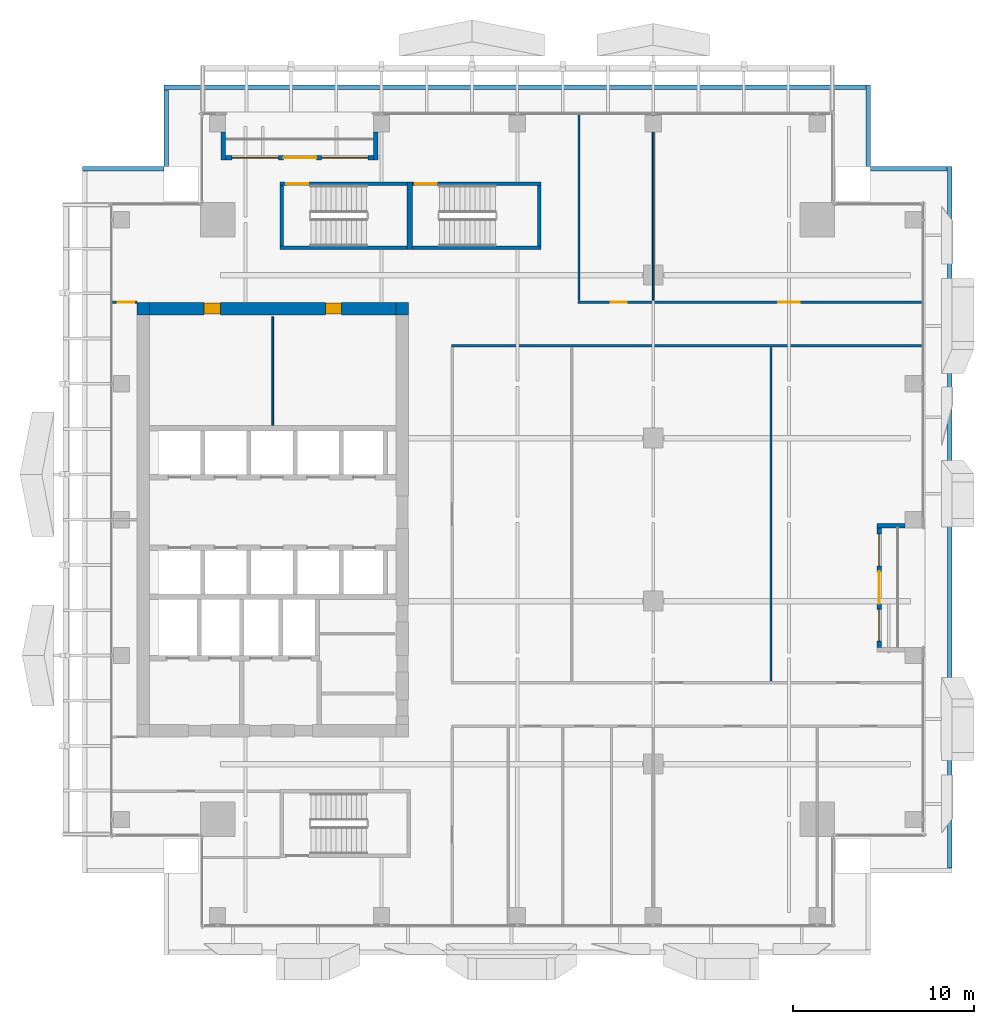
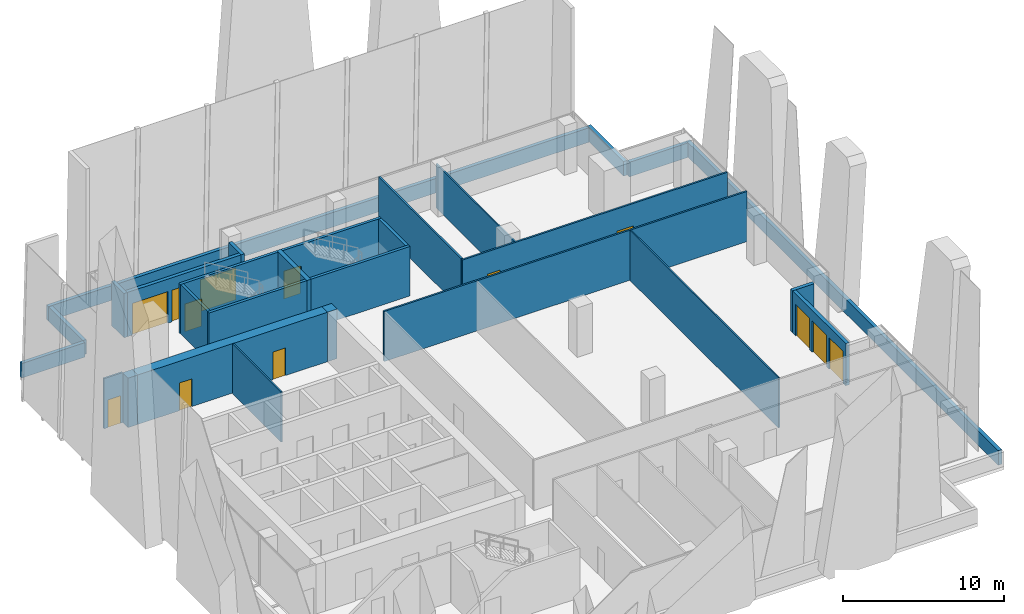
# One storey, part 28 of 33: 28 walls, 9 doors, 4 windows, 13 openings.
"""IFC4 building model written with IfcOpenShell, lengths in metres."""

from ifc_helpers import new_model, si_unit, direction, frame, frame_2d, origin, place, context, subcontext, project, spatial, rectangle, extrude, source, transform, mapped, material, layer, layer_set, type_object, element, fill, save


model = new_model("IFC4")

# Units and contexts
model_context = context("Model", 3, precision=1e-05, world=origin(), true_north=direction((0.0, 1.0)))
body_context = subcontext(model_context, "Body", "Model", "MODEL_VIEW")
ifc_project = project(units=[si_unit("LENGTHUNIT", "METRE"), si_unit("AREAUNIT", "SQUARE_METRE"), si_unit("VOLUMEUNIT", "CUBIC_METRE"), si_unit("PLANEANGLEUNIT", "RADIAN"), si_unit("MASSUNIT", "GRAM", prefix="KILO")], contexts=[model_context])

# Site, building, storey
site_placement = place(None, origin())
site = spatial("IfcSite", under=ifc_project, at=site_placement, CompositionType="ELEMENT")
building_placement = place(site_placement, origin())
building = spatial("IfcBuilding", under=site, at=building_placement, Name="Khomas Fold Tower", CompositionType="ELEMENT")
storey_placement = place(building_placement, frame((0.0, 0.0, 222.199951171875)))
storey = spatial("IfcBuildingStorey", under=building, at=storey_placement, Name="L49", CompositionType="ELEMENT", Elevation=222.199951171875)

# Wall, opening, door
ifc_material_1 = material(Name="Concrete C50/60", Category="concrete")
ifc_layer_1 = layer(ifc_material_1, 0.199951171875)
ifc_layer_set_1 = layer_set([ifc_layer_1], Name="Concrete C50/60")
wall_type_1 = type_object("IfcWallType", Name="Stair wall 200", PredefinedType="SHEAR", material=ifc_layer_set_1)
shared_shape_1 = source(origin(), body_context, "Body", "SweptSolid", [
    extrude(rectangle(XDim=7.0, YDim=0.199951171875, at=frame_2d((3.5, 0.0))), origin(), (0.0, 0.0, 1.0), 3.75),
])
wall_1_placement = place(storey_placement, frame((13.89990234375, 45.550048828125, 0.0), z_axis=(0.0, 0.0, 1.0), x_axis=(1.0, 0.0, 0.0)))
wall_1 = element("IfcWall", 1, at=wall_1_placement, inside=storey, type_object=wall_type_1, Name="Stair wall SW-ST1-N", PredefinedType="SHEAR", context=body_context, shape_type="MappedRepresentation", body=[
    mapped(shared_shape_1, transform((0.0, 0.0, 0.0))),
])
shared_shape_2 = source(origin(), body_context, "Body", "SweptSolid", [
    extrude(rectangle(XDim=1.199951171875, YDim=2.10009765625, at=frame_2d((0.60009765625, 1.050048828125))), frame((0.0, 0.10986328125, 0.0), z_axis=(0.0, -1.0, 0.0), x_axis=(1.0, 0.0, 0.0)), (0.0, 0.0, 1.0), 0.219970703125),
])
opening_1_placement = place(wall_1_placement, frame((0.35009765625, 0.0, 0.0)))
opening_1 = element("IfcOpeningElement", 2, at=opening_1_placement, cuts=wall_1, Name="Opening SD-ST1", PredefinedType="OPENING", context=body_context, shape_type="MappedRepresentation", body=[
    mapped(shared_shape_2, transform((0.0, 0.0, 0.0))),
])
ifc_material_2 = material(Name="Steel door leaf", Category="steel")
door_type_1 = type_object("IfcDoorType", Name="Stair door 1200x2100 left-hand", OperationType="SINGLE_SWING_LEFT", PredefinedType="DOOR", material=ifc_material_2)
shared_shape_3 = source(origin(), body_context, "Body", "SweptSolid", [
    extrude(rectangle(XDim=1.199951171875, YDim=2.10009765625, at=frame_2d((0.60009765625, 1.050048828125))), frame((0.0, 0.02490234375, 0.0), z_axis=(0.0, -1.0, 0.0), x_axis=(1.0, 0.0, 0.0)), (0.0, 0.0, 1.0), 0.050048828125),
])
door_1_placement = place(opening_1_placement, origin())
door_1 = element("IfcDoor", 3, at=door_1_placement, inside=storey, type_object=door_type_1, Name="Stair door", OperationType="SINGLE_SWING_LEFT", OverallHeight=2.10009765625, OverallWidth=1.199951171875, PredefinedType="DOOR", context=body_context, shape_type="MappedRepresentation", body=[
    mapped(shared_shape_3, transform((0.0, 0.0, 0.0))),
])
fill(opening_1, door_1)

# Wall
wall_2_placement = place(storey_placement, frame((13.89990234375, 42.0, 0.0), z_axis=(0.0, 0.0, 1.0), x_axis=(1.0, 0.0, 0.0)))
element("IfcWall", 4, at=wall_2_placement, inside=storey, type_object=wall_type_1, Name="Stair wall SW-ST1-S", PredefinedType="SHEAR", context=body_context, shape_type="MappedRepresentation", body=[
    mapped(shared_shape_1, transform((0.0, 0.0, 0.0))),
])

# Wall, opening, door
shared_shape_4 = source(origin(), body_context, "Body", "SweptSolid", [
    extrude(rectangle(XDim=7.10009765625, YDim=0.199951171875, at=frame_2d((3.550048828125, 0.0))), origin(), (0.0, 0.0, 1.0), 3.75),
])
wall_3_placement = place(storey_placement, frame((21.199951171875, 45.550048828125, 0.0), z_axis=(0.0, 0.0, 1.0), x_axis=(1.0, 0.0, 0.0)))
wall_3 = element("IfcWall", 5, at=wall_3_placement, inside=storey, type_object=wall_type_1, Name="Stair wall SW-ST3-N", PredefinedType="SHEAR", context=body_context, shape_type="MappedRepresentation", body=[
    mapped(shared_shape_4, transform((0.0, 0.0, 0.0))),
])
opening_2_placement = place(wall_3_placement, frame((0.14990234375, 0.0, 0.0)))
opening_2 = element("IfcOpeningElement", 6, at=opening_2_placement, cuts=wall_3, Name="Opening SD-ST3", PredefinedType="OPENING", context=body_context, shape_type="MappedRepresentation", body=[
    mapped(shared_shape_2, transform((0.0, 0.0, 0.0))),
])
door_2_placement = place(opening_2_placement, origin())
door_2 = element("IfcDoor", 7, at=door_2_placement, inside=storey, type_object=door_type_1, Name="Stair door", OperationType="SINGLE_SWING_LEFT", OverallHeight=2.10009765625, OverallWidth=1.199951171875, PredefinedType="DOOR", context=body_context, shape_type="MappedRepresentation", body=[
    mapped(shared_shape_3, transform((0.0, 0.0, 0.0))),
])
fill(opening_2, door_2)

# Walls
wall_4_placement = place(storey_placement, frame((21.199951171875, 42.0, 0.0), z_axis=(0.0, 0.0, 1.0), x_axis=(1.0, 0.0, 0.0)))
element("IfcWall", 8, at=wall_4_placement, inside=storey, type_object=wall_type_1, Name="Stair wall SW-ST3-S", PredefinedType="SHEAR", context=body_context, shape_type="MappedRepresentation", body=[
    mapped(shared_shape_4, transform((0.0, 0.0, 0.0))),
])
ifc_material_3 = material(Name="Concrete C50/60", Category="concrete")
ifc_layer_2 = layer(ifc_material_3, 0.300048828125)
ifc_layer_set_2 = layer_set([ifc_layer_2], Name="Concrete C50/60")
wall_type_2 = type_object("IfcWallType", Name="Stair wall 300", PredefinedType="SHEAR", material=ifc_layer_set_2)
shared_shape_5 = source(origin(), body_context, "Body", "SweptSolid", [
    extrude(rectangle(XDim=3.75, YDim=0.300048828125, at=frame_2d((1.875, 0.0))), origin(), (0.0, 0.0, 1.0), 3.75),
])
wall_5_placement = place(storey_placement, frame((21.050048828125, 41.89990234375, 0.0), z_axis=(0.0, 0.0, 1.0), x_axis=(0.0, 1.0, 0.0)))
element("IfcWall", 9, at=wall_5_placement, inside=storey, type_object=wall_type_2, Name="Stair wall SW-ST1-E", PredefinedType="SHEAR", context=body_context, shape_type="MappedRepresentation", body=[
    mapped(shared_shape_5, transform((0.0, 0.0, 0.0))),
])
shared_shape_6 = source(origin(), body_context, "Body", "SweptSolid", [
    extrude(rectangle(XDim=3.349853515625, YDim=0.199951171875, at=frame_2d((1.6748046875, 0.0))), origin(), (0.0, 0.0, 1.0), 3.75),
])
for number, where, z_axis, x_axis, name in (
    (10, (14.0, 42.10009765625, 0.0), (0.0, 0.0, 1.0), (0.0, 1.0, 0.0), "Stair wall SW-ST1-W"),
    (11, (28.199951171875, 42.10009765625, 0.0), (0.0, 0.0, 1.0), (0.0, 1.0, 0.0), "Stair wall SW-ST3-E"),
):
    element("IfcWall", number, at=place(storey_placement, frame(where, z_axis=z_axis, x_axis=x_axis)), inside=storey, type_object=wall_type_1, Name=name, PredefinedType="SHEAR", context=body_context, shape_type="MappedRepresentation", body=[
        mapped(shared_shape_6, transform((0.0, 0.0, 0.0))),
    ])

# Wall, openings, doors
ifc_material_4 = material(Name="Concrete C60/75", Category="concrete")
ifc_layer_3 = layer(ifc_material_4, 0.699951171875)
ifc_layer_set_3 = layer_set([ifc_layer_3], Name="Concrete C60/75")
wall_type_3 = type_object("IfcWallType", Name="Core wall 700", PredefinedType="SHEAR", material=ifc_layer_set_3)
shared_shape_7 = source(origin(), body_context, "Body", "SweptSolid", [
    extrude(rectangle(XDim=13.60009765625, YDim=0.699951171875, at=frame_2d((6.800048828125, 0.0))), origin(), (0.0, 0.0, 1.0), 3.75),
])
wall_6_placement = place(storey_placement, frame((6.699951171875, 38.64990234375, 0.0), z_axis=(0.0, 0.0, 1.0), x_axis=(1.0, 0.0, 0.0)))
wall_6 = element("IfcWall", 12, at=wall_6_placement, inside=storey, type_object=wall_type_3, Name="Core wall CW-U-N-L49", PredefinedType="SHEAR", context=body_context, shape_type="MappedRepresentation", body=[
    mapped(shared_shape_7, transform((0.0, 0.0, 0.0))),
])
shared_shape_8 = source(origin(), body_context, "Body", "SweptSolid", [
    extrude(rectangle(XDim=0.89990234375, YDim=2.10009765625, at=frame_2d((0.449951171875, 1.050048828125))), frame((0.0, 0.35986328125, 0.0), z_axis=(0.0, -1.0, 0.0), x_axis=(1.0, 0.0, 0.0)), (0.0, 0.0, 1.0), 0.719970703125),
])
opening_3_placement = place(wall_6_placement, frame((3.0, 0.0, 0.0)))
opening_3 = element("IfcOpeningElement", 13, at=opening_3_placement, cuts=wall_6, Name="Opening 0008", PredefinedType="OPENING", context=body_context, shape_type="MappedRepresentation", body=[
    mapped(shared_shape_8, transform((0.0, 0.0, 0.0))),
])
opening_4_placement = place(wall_6_placement, frame((9.699951171875, 0.0, 0.0)))
opening_4 = element("IfcOpeningElement", 14, at=opening_4_placement, cuts=wall_6, Name="Opening 0008", PredefinedType="OPENING", context=body_context, shape_type="MappedRepresentation", body=[
    mapped(shared_shape_8, transform((0.0, 0.0, 0.0))),
])
ifc_material_5 = material(Name="Timber door leaf", Category="wood")
door_type_2 = type_object("IfcDoorType", Name="Door 900x2100 right-hand", OperationType="SINGLE_SWING_RIGHT", PredefinedType="DOOR", material=ifc_material_5)
shared_shape_9 = source(origin(), body_context, "Body", "SweptSolid", [
    extrude(rectangle(XDim=0.89990234375, YDim=2.10009765625, at=frame_2d((0.449951171875, 1.050048828125))), frame((0.0, 0.2998046875, 0.0), z_axis=(0.0, -1.0, 0.0), x_axis=(1.0, 0.0, 0.0)), (0.0, 0.0, 1.0), 0.599853515625),
])
door_3_placement = place(opening_3_placement, origin())
door_3 = element("IfcDoor", 15, at=door_3_placement, inside=storey, type_object=door_type_2, Name="Door", OperationType="SINGLE_SWING_RIGHT", OverallHeight=2.10009765625, OverallWidth=0.89990234375, PredefinedType="DOOR", context=body_context, shape_type="MappedRepresentation", body=[
    mapped(shared_shape_9, transform((0.0, 0.0, 0.0))),
])
fill(opening_3, door_3)
door_4_placement = place(opening_4_placement, origin())
door_4 = element("IfcDoor", 16, at=door_4_placement, inside=storey, type_object=door_type_2, Name="Door", OperationType="SINGLE_SWING_RIGHT", OverallHeight=2.10009765625, OverallWidth=0.89990234375, PredefinedType="DOOR", context=body_context, shape_type="MappedRepresentation", body=[
    mapped(shared_shape_9, transform((0.0, 0.0, 0.0))),
])
fill(opening_4, door_4)

# Walls
ifc_material_6 = material(Name="Concrete C60/75", Category="concrete")
ifc_layer_4 = layer(ifc_material_6, 0.699951171875)
ifc_layer_set_4 = layer_set([ifc_layer_4], Name="Concrete C60/75")
wall_type_4 = type_object("IfcWallType", Name="Core corner wall 700", PredefinedType="SHEAR", material=ifc_layer_set_4)
shared_shape_10 = source(origin(), body_context, "Body", "SweptSolid", [
    extrude(rectangle(XDim=0.699951171875, YDim=0.699951171875, at=frame_2d((0.35009765625, 0.0))), origin(), (0.0, 0.0, 1.0), 3.75),
])
for number, where, z_axis, x_axis, name in (
    (17, (20.300048828125, 38.64990234375, 0.0), (0.0, 0.0, 1.0), (1.0, 0.0, 0.0), "Core wall CW-U-NE-L49"),
    (18, (6.0, 38.64990234375, 0.0), (0.0, 0.0, 1.0), (1.0, 0.0, 0.0), "Core wall CW-U-NW-L49"),
):
    element("IfcWall", number, at=place(storey_placement, frame(where, z_axis=z_axis, x_axis=x_axis)), inside=storey, type_object=wall_type_4, Name=name, PredefinedType="SHEAR", context=body_context, shape_type="MappedRepresentation", body=[
        mapped(shared_shape_10, transform((0.0, 0.0, 0.0))),
    ])

# Wall, openings, door, windows
ifc_material_7 = material(Name="Natural stone", Category="masonry")
ifc_layer_5 = layer(ifc_material_7, 0.0400390625)
ifc_material_8 = material(Name="Mineral wool insulation", Category="insulation")
ifc_layer_6 = layer(ifc_material_8, 0.10009765625)
ifc_material_9 = material(Name="Masonry", Category="masonry")
ifc_layer_7 = layer(ifc_material_9, 0.110107421875)
ifc_layer_set_5 = layer_set([ifc_layer_5, ifc_layer_6, ifc_layer_7], Name="Stone-faced insulated masonry")
wall_type_5 = type_object("IfcWallType", Name="BL-Balcony wall", PredefinedType="SOLIDWALL", material=ifc_layer_set_5)
shared_shape_11 = source(origin(), body_context, "Body", "SweptSolid", [
    extrude(rectangle(XDim=8.150146484375, YDim=0.25, at=frame_2d((4.0751953125, 0.0))), origin(), (0.0, 0.0, 1.0), 3.35009765625),
])
wall_7_placement = place(storey_placement, frame((10.89990234375, 46.97509765625, 0.0), z_axis=(0.0, 0.0, 1.0), x_axis=(1.0, 0.0, 0.0)))
wall_7 = element("IfcWall", 19, at=wall_7_placement, inside=storey, type_object=wall_type_5, Name="Balcony wall BAL-L49-N1", PredefinedType="SOLIDWALL", context=body_context, shape_type="MappedRepresentation", body=[
    mapped(shared_shape_11, transform((0.0, 0.0, 0.0))),
])
shared_shape_12 = source(origin(), body_context, "Body", "SweptSolid", [
    extrude(rectangle(XDim=2.550048828125, YDim=2.39990234375, at=frame_2d((1.27490234375, 1.199951171875))), frame((0.0, 0.135009765625, 0.0), z_axis=(0.0, -1.0, 0.0), x_axis=(1.0, 0.0, 0.0)), (0.0, 0.0, 1.0), 0.27001953125),
])
opening_5_placement = place(wall_7_placement, frame((0.35009765625, 0.0, 0.0)))
opening_5 = element("IfcOpeningElement", 20, at=opening_5_placement, cuts=wall_7, Name="Opening BL-W4", PredefinedType="OPENING", context=body_context, shape_type="MappedRepresentation", body=[
    mapped(shared_shape_12, transform((0.0, 0.0, 0.0))),
])
opening_6_placement = place(wall_7_placement, frame((5.300048828125, 0.0, 0.0)))
opening_6 = element("IfcOpeningElement", 21, at=opening_6_placement, cuts=wall_7, Name="Opening BL-W4", PredefinedType="OPENING", context=body_context, shape_type="MappedRepresentation", body=[
    mapped(shared_shape_12, transform((0.0, 0.0, 0.0))),
])
shared_shape_13 = source(origin(), body_context, "Body", "SweptSolid", [
    extrude(rectangle(XDim=1.800048828125, YDim=2.39990234375, at=frame_2d((0.89990234375, 1.199951171875))), frame((0.0, 0.135009765625, 0.0), z_axis=(0.0, -1.0, 0.0), x_axis=(1.0, 0.0, 0.0)), (0.0, 0.0, 1.0), 0.27001953125),
])
opening_7_placement = place(wall_7_placement, frame((3.199951171875, 0.0, 0.0)))
opening_7 = element("IfcOpeningElement", 22, at=opening_7_placement, cuts=wall_7, Name="Opening BD491", PredefinedType="OPENING", context=body_context, shape_type="MappedRepresentation", body=[
    mapped(shared_shape_13, transform((0.0, 0.0, 0.0))),
])
ifc_material_10 = material(Name="Aluminium framed double glazing", Category="aluminium")
door_type_3 = type_object("IfcDoorType", Name="BL-Glazed balcony door 1800 x 2400", OperationType="DOUBLE_DOOR_DOUBLE_SWING", PredefinedType="DOOR", material=ifc_material_10)
shared_shape_14 = source(origin(), body_context, "Body", "SweptSolid", [
    extrude(rectangle(XDim=1.800048828125, YDim=2.39990234375, at=frame_2d((0.89990234375, 1.199951171875))), frame((0.0, 0.02490234375, 0.0), z_axis=(0.0, -1.0, 0.0), x_axis=(1.0, 0.0, 0.0)), (0.0, 0.0, 1.0), 0.050048828125),
])
door_5_placement = place(opening_7_placement, origin())
door_5 = element("IfcDoor", 23, at=door_5_placement, inside=storey, type_object=door_type_3, Name="Balcony door BD491", OperationType="DOUBLE_DOOR_DOUBLE_SWING", OverallHeight=2.39990234375, OverallWidth=1.800048828125, PredefinedType="DOOR", context=body_context, shape_type="MappedRepresentation", body=[
    mapped(shared_shape_14, transform((0.0, 0.0, 0.0))),
])
fill(opening_7, door_5)
ifc_material_11 = material(Name="Aluminium framed double glazing", Category="aluminium")
window_type_1 = type_object("IfcWindowType", Name="BL-Fixed glazing 2550 x 2400", PartitioningType="SINGLE_PANEL", PredefinedType="WINDOW", material=ifc_material_11)
shared_shape_15 = source(origin(), body_context, "Body", "SweptSolid", [
    extrude(rectangle(XDim=2.550048828125, YDim=2.39990234375, at=frame_2d((1.27490234375, 1.199951171875))), frame((0.0, 0.030029296875, 0.0), z_axis=(0.0, -1.0, 0.0), x_axis=(1.0, 0.0, 0.0)), (0.0, 0.0, 1.0), 0.06005859375),
])
window_1_placement = place(opening_5_placement, origin())
window_1 = element("IfcWindow", 24, at=window_1_placement, inside=storey, type_object=window_type_1, Name="Balcony glazing BAL-L49-N1-1", OverallHeight=2.39990234375, OverallWidth=2.550048828125, PartitioningType="SINGLE_PANEL", PredefinedType="WINDOW", context=body_context, shape_type="MappedRepresentation", body=[
    mapped(shared_shape_15, transform((0.0, 0.0, 0.0))),
])
fill(opening_5, window_1)
window_2_placement = place(opening_6_placement, origin())
window_2 = element("IfcWindow", 25, at=window_2_placement, inside=storey, type_object=window_type_1, Name="Balcony glazing BAL-L49-N1-2", OverallHeight=2.39990234375, OverallWidth=2.550048828125, PartitioningType="SINGLE_PANEL", PredefinedType="WINDOW", context=body_context, shape_type="MappedRepresentation", body=[
    mapped(shared_shape_15, transform((0.0, 0.0, 0.0))),
])
fill(opening_6, window_2)

# Walls
shared_shape_16 = source(origin(), body_context, "Body", "SweptSolid", [
    extrude(rectangle(XDim=1.5498046875, YDim=0.25, at=frame_2d((0.77490234375, 0.0))), origin(), (0.0, 0.0, 1.0), 3.35009765625),
])
for number, where, z_axis, x_axis, name in (
    (26, (10.77490234375, 48.39990234375, 0.0), (0.0, 0.0, 1.0), (0.0, -1.0, 0.0), "Balcony return wall BAL-L49-N1-lo"),
    (27, (19.175048828125, 48.39990234375, 0.0), (0.0, 0.0, 1.0), (0.0, -1.0, 0.0), "Balcony return wall BAL-L49-N1-hi"),
):
    element("IfcWall", number, at=place(storey_placement, frame(where, z_axis=z_axis, x_axis=x_axis)), inside=storey, type_object=wall_type_5, Name=name, PredefinedType="SOLIDWALL", context=body_context, shape_type="MappedRepresentation", body=[
        mapped(shared_shape_16, transform((0.0, 0.0, 0.0))),
    ])

# Wall, openings, door, windows
shared_shape_17 = source(origin(), body_context, "Body", "SweptSolid", [
    extrude(rectangle(XDim=6.60009765625, YDim=0.25, at=frame_2d((3.300048828125, 0.0))), origin(), (0.0, 0.0, 1.0), 3.199951171875),
])
wall_8_placement = place(storey_placement, frame((46.97509765625, 19.949951171875, 0.0), z_axis=(0.0, 0.0, 1.0), x_axis=(0.0, 1.0, 0.0)))
wall_8 = element("IfcWall", 28, at=wall_8_placement, inside=storey, type_object=wall_type_5, Name="Balcony wall BAL-L49-E2", PredefinedType="SOLIDWALL", context=body_context, shape_type="MappedRepresentation", body=[
    mapped(shared_shape_17, transform((0.0, 0.0, 0.0))),
])
shared_shape_18 = source(origin(), body_context, "Body", "SweptSolid", [
    extrude(rectangle(XDim=1.75, YDim=2.39990234375, at=frame_2d((0.875, 1.199951171875))), frame((0.0, 0.135009765625, 0.0), z_axis=(0.0, -1.0, 0.0), x_axis=(1.0, 0.0, 0.0)), (0.0, 0.0, 1.0), 0.27001953125),
])
opening_8_placement = place(wall_8_placement, frame((0.35009765625, 0.0, 0.0)))
opening_8 = element("IfcOpeningElement", 29, at=opening_8_placement, cuts=wall_8, Name="Opening BL-W3", PredefinedType="OPENING", context=body_context, shape_type="MappedRepresentation", body=[
    mapped(shared_shape_18, transform((0.0, 0.0, 0.0))),
])
opening_9_placement = place(wall_8_placement, frame((4.5, 0.0, 0.0)))
opening_9 = element("IfcOpeningElement", 30, at=opening_9_placement, cuts=wall_8, Name="Opening BL-W3", PredefinedType="OPENING", context=body_context, shape_type="MappedRepresentation", body=[
    mapped(shared_shape_18, transform((0.0, 0.0, 0.0))),
])
opening_10_placement = place(wall_8_placement, frame((2.39990234375, 0.0, 0.0)))
opening_10 = element("IfcOpeningElement", 31, at=opening_10_placement, cuts=wall_8, Name="Opening BD492", PredefinedType="OPENING", context=body_context, shape_type="MappedRepresentation", body=[
    mapped(shared_shape_13, transform((0.0, 0.0, 0.0))),
])
door_6_placement = place(opening_10_placement, origin())
door_6 = element("IfcDoor", 32, at=door_6_placement, inside=storey, type_object=door_type_3, Name="Balcony door BD492", OperationType="DOUBLE_DOOR_DOUBLE_SWING", OverallHeight=2.39990234375, OverallWidth=1.800048828125, PredefinedType="DOOR", context=body_context, shape_type="MappedRepresentation", body=[
    mapped(shared_shape_14, transform((0.0, 0.0, 0.0))),
])
fill(opening_10, door_6)
ifc_material_12 = material(Name="Aluminium framed double glazing", Category="aluminium")
window_type_2 = type_object("IfcWindowType", Name="BL-Fixed glazing 1750 x 2400", PartitioningType="SINGLE_PANEL", PredefinedType="WINDOW", material=ifc_material_12)
shared_shape_19 = source(origin(), body_context, "Body", "SweptSolid", [
    extrude(rectangle(XDim=1.75, YDim=2.39990234375, at=frame_2d((0.875, 1.199951171875))), frame((0.0, 0.030029296875, 0.0), z_axis=(0.0, -1.0, 0.0), x_axis=(1.0, 0.0, 0.0)), (0.0, 0.0, 1.0), 0.06005859375),
])
window_3_placement = place(opening_8_placement, origin())
window_3 = element("IfcWindow", 33, at=window_3_placement, inside=storey, type_object=window_type_2, Name="Balcony glazing BAL-L49-E2-1", OverallHeight=2.39990234375, OverallWidth=1.75, PartitioningType="SINGLE_PANEL", PredefinedType="WINDOW", context=body_context, shape_type="MappedRepresentation", body=[
    mapped(shared_shape_19, transform((0.0, 0.0, 0.0))),
])
fill(opening_8, window_3)
window_4_placement = place(opening_9_placement, origin())
window_4 = element("IfcWindow", 34, at=window_4_placement, inside=storey, type_object=window_type_2, Name="Balcony glazing BAL-L49-E2-2", OverallHeight=2.39990234375, OverallWidth=1.75, PartitioningType="SINGLE_PANEL", PredefinedType="WINDOW", context=body_context, shape_type="MappedRepresentation", body=[
    mapped(shared_shape_19, transform((0.0, 0.0, 0.0))),
])
fill(opening_9, window_4)

# Walls
shared_shape_20 = source(origin(), body_context, "Body", "SweptSolid", [
    extrude(rectangle(XDim=1.5498046875, YDim=0.25, at=frame_2d((0.77490234375, 0.0))), origin(), (0.0, 0.0, 1.0), 3.199951171875),
])
wall_9_placement = place(storey_placement, frame((48.39990234375, 26.675048828125, 0.0), z_axis=(0.0, 0.0, 1.0), x_axis=(-1.0, 0.0, 0.0)))
element("IfcWall", 35, at=wall_9_placement, inside=storey, type_object=wall_type_5, Name="Balcony return wall BAL-L49-E2-hi", PredefinedType="SOLIDWALL", context=body_context, shape_type="MappedRepresentation", body=[
    mapped(shared_shape_20, transform((0.0, 0.0, 0.0))),
])
ifc_material_13 = material(Name="Concrete C40/50", Category="concrete")
ifc_layer_8 = layer(ifc_material_13, 0.25)
ifc_layer_set_6 = layer_set([ifc_layer_8], Name="Concrete C40/50")
wall_type_6 = type_object("IfcWallType", Name="Setback roof parapet 250", PredefinedType="PARAPET", material=ifc_layer_set_6)
shared_shape_21 = source(origin(), body_context, "Body", "SweptSolid", [
    extrude(rectangle(XDim=4.5, YDim=0.25, at=frame_2d((2.25, 0.0))), origin(), (0.0, 0.0, 1.0), 1.10009765625),
])
for number, where, z_axis, x_axis, name in (
    (36, (46.375, 46.5, 0.0), (0.0, 0.0, 1.0), (0.0, 1.0, 0.0), "Setback roof parapet"),
    (37, (7.5, 46.375, 0.0), (0.0, 0.0, 1.0), (-1.0, 0.0, 0.0), "Setback roof parapet"),
):
    element("IfcWall", number, at=place(storey_placement, frame(where, z_axis=z_axis, x_axis=x_axis)), inside=storey, type_object=wall_type_6, Name=name, PredefinedType="SOLIDWALL", context=body_context, shape_type="MappedRepresentation", body=[
        mapped(shared_shape_21, transform((0.0, 0.0, 0.0))),
    ])
shared_shape_22 = source(origin(), body_context, "Body", "SweptSolid", [
    extrude(rectangle(XDim=4.22998046875, YDim=0.25, at=frame_2d((2.114990234375, 0.0))), origin(), (0.0, 0.0, 1.0), 1.10009765625),
])
for number, where, z_axis, x_axis, name in (
    (38, (50.72998046875, 46.375, 0.0), (0.0, 0.0, 1.0), (-1.0, 0.0, 0.0), "Setback roof parapet"),
    (39, (7.625, 50.72998046875, 0.0), (0.0, 0.0, 1.0), (0.0, -1.0, 0.0), "Setback roof parapet"),
):
    element("IfcWall", number, at=place(storey_placement, frame(where, z_axis=z_axis, x_axis=x_axis)), inside=storey, type_object=wall_type_6, Name=name, PredefinedType="SOLIDWALL", context=body_context, shape_type="MappedRepresentation", body=[
        mapped(shared_shape_22, transform((0.0, 0.0, 0.0))),
    ])
shared_shape_23 = source(origin(), body_context, "Body", "SweptSolid", [
    extrude(rectangle(XDim=38.72998046875, YDim=0.25, at=frame_2d((19.364990234375, 0.0))), origin(), (0.0, 0.0, 1.0), 1.10009765625),
])
for number, where, z_axis, x_axis, name in (
    (40, (50.875, 7.77001953125, 0.0), (0.0, 0.0, 1.0), (0.0, 1.0, 0.0), "Setback roof parapet"),
    (41, (46.22998046875, 50.875, 0.0), (0.0, 0.0, 1.0), (-1.0, 0.0, 0.0), "Setback roof parapet"),
):
    element("IfcWall", number, at=place(storey_placement, frame(where, z_axis=z_axis, x_axis=x_axis)), inside=storey, type_object=wall_type_6, Name=name, PredefinedType="SOLIDWALL", context=body_context, shape_type="MappedRepresentation", body=[
        mapped(shared_shape_23, transform((0.0, 0.0, 0.0))),
    ])
ifc_material_14 = material(Name="Plasterboard partition")
ifc_layer_9 = layer(ifc_material_14, 0.10009765625)
ifc_layer_set_7 = layer_set([ifc_layer_9], Name="Plasterboard partition")
wall_type_7 = type_object("IfcWallType", Name="Partition PW1 100", PredefinedType="PARTITIONING", material=ifc_layer_set_7)
shared_shape_24 = source(origin(), body_context, "Body", "SweptSolid", [
    extrude(rectangle(XDim=6.0, YDim=0.10009765625, at=frame_2d((3.0, 0.0))), origin(), (0.0, 0.0, 1.0), 3.800048828125),
])
wall_10_placement = place(storey_placement, frame((13.5, 32.199951171875, 0.0), z_axis=(0.0, 0.0, 1.0), x_axis=(0.0, 1.0, 0.0)))
element("IfcWall", 42, at=wall_10_placement, inside=storey, type_object=wall_type_7, Name="Partition", PredefinedType="PARTITIONING", context=body_context, shape_type="MappedRepresentation", body=[
    mapped(shared_shape_24, transform((0.0, 0.0, 0.0))),
])

# Wall, opening, door
ifc_material_15 = material(Name="Plasterboard partition")
ifc_layer_10 = layer(ifc_material_15, 0.125)
ifc_layer_set_8 = layer_set([ifc_layer_10], Name="Plasterboard partition")
wall_type_8 = type_object("IfcWallType", Name="Partition PW2 125", PredefinedType="PARTITIONING", material=ifc_layer_set_8)
shared_shape_25 = source(origin(), body_context, "Body", "SweptSolid", [
    extrude(rectangle(XDim=1.35009765625, YDim=0.125, at=frame_2d((0.675048828125, 0.0))), origin(), (0.0, 0.0, 1.0), 3.800048828125),
])
wall_11_placement = place(storey_placement, frame((4.64990234375, 39.0, 0.0), z_axis=(0.0, 0.0, 1.0), x_axis=(1.0, 0.0, 0.0)))
wall_11 = element("IfcWall", 43, at=wall_11_placement, inside=storey, type_object=wall_type_8, Name="Partition", PredefinedType="PARTITIONING", context=body_context, shape_type="MappedRepresentation", body=[
    mapped(shared_shape_25, transform((0.0, 0.0, 0.0))),
])
shared_shape_26 = source(origin(), body_context, "Body", "SweptSolid", [
    extrude(rectangle(XDim=0.89990234375, YDim=2.10009765625, at=frame_2d((0.449951171875, 1.050048828125))), frame((0.0, 0.072509765625, 0.0), z_axis=(0.0, -1.0, 0.0), x_axis=(1.0, 0.0, 0.0)), (0.0, 0.0, 1.0), 0.14501953125),
])
opening_11_placement = place(wall_11_placement, frame((0.300048828125, 0.0, 0.0)))
opening_11 = element("IfcOpeningElement", 44, at=opening_11_placement, cuts=wall_11, Name="Opening 0008", PredefinedType="OPENING", context=body_context, shape_type="MappedRepresentation", body=[
    mapped(shared_shape_26, transform((0.0, 0.0, 0.0))),
])
shared_shape_27 = source(origin(), body_context, "Body", "SweptSolid", [
    extrude(rectangle(XDim=0.89990234375, YDim=2.10009765625, at=frame_2d((0.449951171875, 1.050048828125))), frame((0.0, 0.02490234375, 0.0), z_axis=(0.0, -1.0, 0.0), x_axis=(1.0, 0.0, 0.0)), (0.0, 0.0, 1.0), 0.050048828125),
])
door_7_placement = place(opening_11_placement, origin())
door_7 = element("IfcDoor", 45, at=door_7_placement, inside=storey, type_object=door_type_2, Name="Door", OperationType="SINGLE_SWING_RIGHT", OverallHeight=2.10009765625, OverallWidth=0.89990234375, PredefinedType="DOOR", context=body_context, shape_type="MappedRepresentation", body=[
    mapped(shared_shape_27, transform((0.0, 0.0, 0.0))),
])
fill(opening_11, door_7)

# Walls
shared_shape_28 = source(origin(), body_context, "Body", "SweptSolid", [
    extrude(rectangle(XDim=26.0, YDim=0.125, at=frame_2d((13.0, 0.0))), origin(), (0.0, 0.0, 1.0), 3.800048828125),
])
wall_12_placement = place(storey_placement, frame((23.35009765625, 36.60009765625, 0.0), z_axis=(0.0, 0.0, 1.0), x_axis=(1.0, 0.0, 0.0)))
element("IfcWall", 46, at=wall_12_placement, inside=storey, type_object=wall_type_8, Name="Partition", PredefinedType="PARTITIONING", context=body_context, shape_type="MappedRepresentation", body=[
    mapped(shared_shape_28, transform((0.0, 0.0, 0.0))),
])
shared_shape_29 = source(origin(), body_context, "Body", "SweptSolid", [
    extrude(rectangle(XDim=18.39990234375, YDim=0.10009765625, at=frame_2d((9.199951171875, 0.0))), origin(), (0.0, 0.0, 1.0), 3.800048828125),
])
wall_13_placement = place(storey_placement, frame((41.0, 18.10009765625, 0.0), z_axis=(0.0, 0.0, 1.0), x_axis=(0.0, 1.0, 0.0)))
element("IfcWall", 47, at=wall_13_placement, inside=storey, type_object=wall_type_7, Name="Partition", PredefinedType="PARTITIONING", context=body_context, shape_type="MappedRepresentation", body=[
    mapped(shared_shape_29, transform((0.0, 0.0, 0.0))),
])

# Wall, openings, doors
shared_shape_30 = source(origin(), body_context, "Body", "SweptSolid", [
    extrude(rectangle(XDim=19.0, YDim=0.125, at=frame_2d((9.5, 0.0))), origin(), (0.0, 0.0, 1.0), 3.800048828125),
])
wall_14_placement = place(storey_placement, frame((30.35009765625, 39.0, 0.0), z_axis=(0.0, 0.0, 1.0), x_axis=(1.0, 0.0, 0.0)))
wall_14 = element("IfcWall", 48, at=wall_14_placement, inside=storey, type_object=wall_type_8, Name="Partition", PredefinedType="PARTITIONING", context=body_context, shape_type="MappedRepresentation", body=[
    mapped(shared_shape_30, transform((0.0, 0.0, 0.0))),
])
opening_12_placement = place(wall_14_placement, frame((1.800048828125, 0.0, 0.0)))
opening_12 = element("IfcOpeningElement", 49, at=opening_12_placement, cuts=wall_14, Name="Opening 0007", PredefinedType="OPENING", context=body_context, shape_type="MappedRepresentation", body=[
    mapped(shared_shape_26, transform((0.0, 0.0, 0.0))),
])
shared_shape_31 = source(origin(), body_context, "Body", "SweptSolid", [
    extrude(rectangle(XDim=1.199951171875, YDim=2.10009765625, at=frame_2d((0.60009765625, 1.050048828125))), frame((0.0, 0.072509765625, 0.0), z_axis=(0.0, -1.0, 0.0), x_axis=(1.0, 0.0, 0.0)), (0.0, 0.0, 1.0), 0.14501953125),
])
opening_13_placement = place(wall_14_placement, frame((11.050048828125, 0.0, 0.0)))
opening_13 = element("IfcOpeningElement", 50, at=opening_13_placement, cuts=wall_14, Name="Opening 0013", PredefinedType="OPENING", context=body_context, shape_type="MappedRepresentation", body=[
    mapped(shared_shape_31, transform((0.0, 0.0, 0.0))),
])
ifc_material_16 = material(Name="Timber door leaf", Category="wood")
door_type_4 = type_object("IfcDoorType", Name="Door 900x2100 left-hand", OperationType="SINGLE_SWING_LEFT", PredefinedType="DOOR", material=ifc_material_16)
door_8_placement = place(opening_12_placement, origin())
door_8 = element("IfcDoor", 51, at=door_8_placement, inside=storey, type_object=door_type_4, Name="Door", OperationType="SINGLE_SWING_LEFT", OverallHeight=2.10009765625, OverallWidth=0.89990234375, PredefinedType="DOOR", context=body_context, shape_type="MappedRepresentation", body=[
    mapped(shared_shape_27, transform((0.0, 0.0, 0.0))),
])
fill(opening_12, door_8)
ifc_material_17 = material(Name="Timber door leaf", Category="wood")
door_type_5 = type_object("IfcDoorType", Name="Door 1200x2100 left-hand", OperationType="SINGLE_SWING_LEFT", PredefinedType="DOOR", material=ifc_material_17)
door_9_placement = place(opening_13_placement, origin())
door_9 = element("IfcDoor", 52, at=door_9_placement, inside=storey, type_object=door_type_5, Name="Door", OperationType="SINGLE_SWING_LEFT", OverallHeight=2.10009765625, OverallWidth=1.199951171875, PredefinedType="DOOR", context=body_context, shape_type="MappedRepresentation", body=[
    mapped(shared_shape_3, transform((0.0, 0.0, 0.0))),
])
fill(opening_13, door_9)

# Walls
shared_shape_32 = source(origin(), body_context, "Body", "SweptSolid", [
    extrude(rectangle(XDim=10.25, YDim=0.125, at=frame_2d((5.125, 0.0))), origin(), (0.0, 0.0, 1.0), 3.800048828125),
])
wall_15_placement = place(storey_placement, frame((30.39990234375, 39.10009765625, 0.0), z_axis=(0.0, 0.0, 1.0), x_axis=(0.0, 1.0, 0.0)))
element("IfcWall", 53, at=wall_15_placement, inside=storey, type_object=wall_type_8, Name="Partition", PredefinedType="PARTITIONING", context=body_context, shape_type="MappedRepresentation", body=[
    mapped(shared_shape_32, transform((0.0, 0.0, 0.0))),
])
shared_shape_33 = source(origin(), body_context, "Body", "SweptSolid", [
    extrude(rectangle(XDim=10.25, YDim=0.10009765625, at=frame_2d((5.125, 0.0))), origin(), (0.0, 0.0, 1.0), 3.35009765625),
])
wall_16_placement = place(storey_placement, frame((34.5, 39.10009765625, 0.0), z_axis=(0.0, 0.0, 1.0), x_axis=(0.0, 1.0, 0.0)))
element("IfcWall", 54, at=wall_16_placement, inside=storey, type_object=wall_type_7, Name="Partition", PredefinedType="PARTITIONING", context=body_context, shape_type="MappedRepresentation", body=[
    mapped(shared_shape_33, transform((0.0, 0.0, 0.0))),
])

save(model, "model.ifc")
